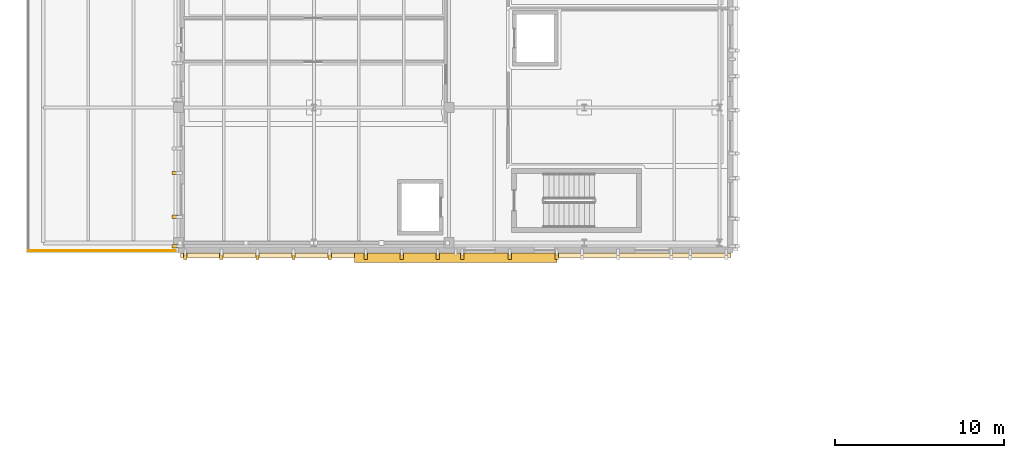
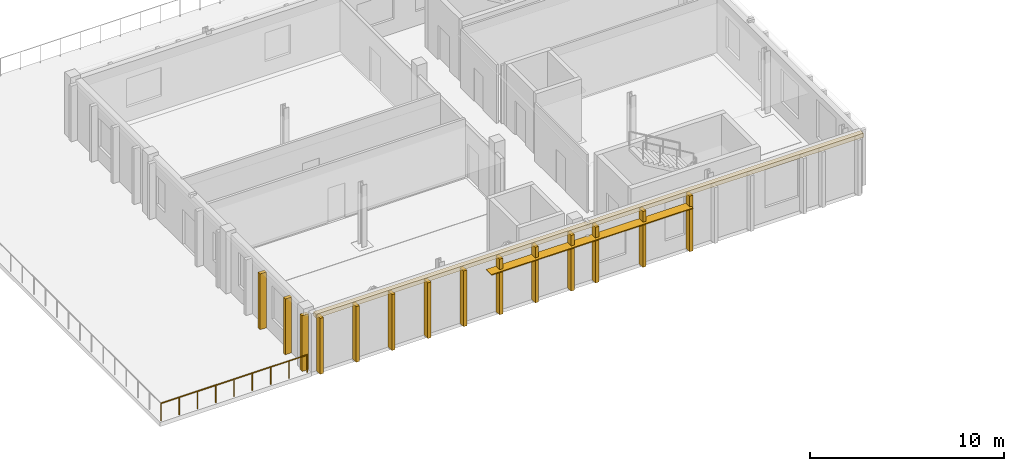
# One storey, part 33 of 43: 15 coverings, 1 railing, 1 shading device.
"""IFC4 building model written with IfcOpenShell, lengths in metres."""

from ifc_helpers import new_model, si_unit, direction, frame, origin, origin_2d, place, context, subcontext, project, spatial, rectangle, circle, extrude, material, layer, layer_set, type_object, element, save


model = new_model("IFC4")

# Units and contexts
model_context = context("Model", 3, precision=1e-05, world=origin(), true_north=direction((0.0, 1.0)))
body_context = subcontext(model_context, "Body", "Model", "MODEL_VIEW")
ifc_project = project(units=[si_unit("LENGTHUNIT", "METRE"), si_unit("AREAUNIT", "SQUARE_METRE"), si_unit("VOLUMEUNIT", "CUBIC_METRE"), si_unit("PLANEANGLEUNIT", "RADIAN"), si_unit("MASSUNIT", "GRAM", prefix="KILO")], contexts=[model_context])

# Site, building, storey
site_placement = place(None, origin())
site = spatial("IfcSite", under=ifc_project, at=site_placement, CompositionType="ELEMENT")
building_placement = place(site_placement, origin())
building = spatial("IfcBuilding", under=site, at=building_placement, Name="Cymarion Research Institute", CompositionType="ELEMENT")
storey_placement = place(building_placement, frame((0.0, 0.0, 22.800048828125)))
storey = spatial("IfcBuildingStorey", under=building, at=storey_placement, Name="L05", CompositionType="ELEMENT", Elevation=22.800048828125)

# Shading device
ifc_material_1 = material(Name="Anodised aluminium solar louvre jalousie", Category="aluminium")
ifc_layer_1 = layer(ifc_material_1, 0.06005859375)
ifc_layer_set_1 = layer_set([ifc_layer_1], Name="Anodised aluminium solar louvre jalousie")
shading_device_type = type_object("IfcShadingDeviceType", Name="ANODISED ALUMINIUM HORIZONTAL LOUVRE JALOUSIE SHD2 550MM", PredefinedType="JALOUSIE", material=ifc_layer_set_1)
shading_device_placement = place(storey_placement, frame((31.0, 46.623046875, 2.7900390625), z_axis=(0.0, 0.0, 1.0), x_axis=(0.0, -1.0, 0.0)))
element("IfcShadingDevice", 1, at=shading_device_placement, inside=storey, type_object=shading_device_type, Name="L05 V4 south aluminium sunshade SHD2 #11", PredefinedType="JALOUSIE", context=body_context, shape_type="SweptSolid", body=[
    extrude(rectangle(XDim=0.550048828125, YDim=12.0, at=origin_2d()), origin(), (0.0, 0.0, 1.0), 0.06005859375),
])

# Railing
ifc_material_2 = material(Name="Steel S355", Category="steel")
railing_type = type_object("IfcRailingType", Name="LAMINATED GLASS AND STEEL BALUSTRADE BAL1 1120MM", PredefinedType="BALUSTRADE", material=ifc_material_2)
railing_placement = place(storey_placement, frame((14.419921875, 47.02001953125, 0.0)))
element("IfcRailing", 2, at=railing_placement, inside=storey, type_object=railing_type, Name="L05 V4 roof garden perimeter balustrade #4", PredefinedType="BALUSTRADE", context=body_context, shape_type="SweptSolid", body=[
    extrude(circle(Radius=0.02392578125, at=origin_2d()), frame((0.0, 0.0, 1.09619140625), z_axis=(-1.0, 0.0, 0.0), x_axis=(0.0, -1.0, 0.0)), (0.0, 0.0, 1.0), 8.699951171875),
    extrude(circle(Radius=0.02099609375, at=origin_2d()), origin(), (0.0, 0.0, 1.0), 1.072021484375),
    extrude(circle(Radius=0.02099609375, at=origin_2d()), frame((-1.08740234375, 0.0, 0.0)), (0.0, 0.0, 1.0), 1.072021484375),
    extrude(circle(Radius=0.02099609375, at=origin_2d()), frame((-2.175048828125, 0.0, 0.0)), (0.0, 0.0, 1.0), 1.072021484375),
    extrude(circle(Radius=0.02099609375, at=origin_2d()), frame((-3.262451171875, 0.0, 0.0)), (0.0, 0.0, 1.0), 1.072021484375),
    extrude(circle(Radius=0.02099609375, at=origin_2d()), frame((-4.35009765625, 0.0, 0.0)), (0.0, 0.0, 1.0), 1.072021484375),
    extrude(circle(Radius=0.02099609375, at=origin_2d()), frame((-5.4375, 0.0, 0.0)), (0.0, 0.0, 1.0), 1.072021484375),
    extrude(circle(Radius=0.02099609375, at=origin_2d()), frame((-6.52490234375, 0.0, 0.0)), (0.0, 0.0, 1.0), 1.072021484375),
    extrude(circle(Radius=0.02099609375, at=origin_2d()), frame((-7.612548828125, 0.0, 0.0)), (0.0, 0.0, 1.0), 1.072021484375),
    extrude(circle(Radius=0.02099609375, at=origin_2d()), frame((-8.699951171875, 0.0, 0.0)), (0.0, 0.0, 1.0), 1.072021484375),
])

# Coverings
ifc_material_3 = material(Name="Precast concrete C45/55 architectural white", Category="concrete")
ifc_layer_2 = layer(ifc_material_3, 0.260009765625)
ifc_layer_set_2 = layer_set([ifc_layer_2], Name="Precast concrete C45/55 architectural white")
covering_type_1 = type_object("IfcCoveringType", Name="SCULPTURAL WHITE PRECAST CONCRETE SPANDREL BROW BAND RIB2 280MM", PredefinedType="CLADDING", material=ifc_layer_set_2)
covering_placement = place(storey_placement, frame((31.0, 46.758056640625, 3.52001953125), z_axis=(0.0, 0.0, 1.0), x_axis=(0.0, -1.0, 0.0)))
element("IfcCovering", 3, at=covering_placement, inside=storey, type_object=covering_type_1, Name="L05 V4 precast spandrel brow band RIB2 #975", PredefinedType="CLADDING", context=body_context, shape_type="SweptSolid", body=[
    extrude(rectangle(XDim=0.280029296875, YDim=32.56005859375, at=origin_2d()), origin(), (0.0, 0.0, 1.0), 0.260009765625),
])
ifc_layer_3 = layer(ifc_material_3, 0.199951171875)
ifc_layer_set_3 = layer_set([ifc_layer_3], Name="Precast concrete C45/55 architectural white")
covering_type_2 = type_object("IfcCoveringType", Name="SCULPTURAL WHITE PRECAST CONCRETE VERTICAL RIB RIB1 380X200", PredefinedType="CLADDING", material=ifc_layer_set_3)
for number, where, z_axis, x_axis, name in (
    (4, (15.0, 46.7080078125, 0.010009765625), (0.0, 0.0, 1.0), (0.0, -1.0, 0.0), "L05 V4 sculptural precast vertical rib RIB1 #976"),
    (5, (17.13330078125, 46.7080078125, 0.010009765625), (0.0, 0.0, 1.0), (0.0, -1.0, 0.0), "L05 V4 sculptural precast vertical rib RIB1 #977"),
    (6, (19.2666015625, 46.7080078125, 0.010009765625), (0.0, 0.0, 1.0), (0.0, -1.0, 0.0), "L05 V4 sculptural precast vertical rib RIB1 #978"),
    (7, (21.39990234375, 46.7080078125, 0.010009765625), (0.0, 0.0, 1.0), (0.0, -1.0, 0.0), "L05 V4 sculptural precast vertical rib RIB1 #979"),
    (8, (23.533203125, 46.7080078125, 0.010009765625), (0.0, 0.0, 1.0), (0.0, -1.0, 0.0), "L05 V4 sculptural precast vertical rib RIB1 #980"),
    (9, (25.666748046875, 46.7080078125, 0.010009765625), (0.0, 0.0, 1.0), (0.0, -1.0, 0.0), "L05 V4 sculptural precast vertical rib RIB1 #981"),
    (10, (27.800048828125, 46.7080078125, 0.010009765625), (0.0, 0.0, 1.0), (0.0, -1.0, 0.0), "L05 V4 sculptural precast vertical rib RIB1 #982"),
    (11, (29.933349609375, 46.7080078125, 0.010009765625), (0.0, 0.0, 1.0), (0.0, -1.0, 0.0), "L05 V4 sculptural precast vertical rib RIB1 #983"),
    (12, (31.3798828125, 46.7080078125, 0.010009765625), (0.0, 0.0, 1.0), (0.0, -1.0, 0.0), "L05 V4 sculptural precast vertical rib RIB1 #984"),
    (13, (34.199951171875, 46.7080078125, 0.010009765625), (0.0, 0.0, 1.0), (0.0, -1.0, 0.0), "L05 V4 sculptural precast vertical rib RIB1 #985"),
    (14, (36.97998046875, 46.7080078125, 0.010009765625), (0.0, 0.0, 1.0), (0.0, -1.0, 0.0), "L05 V4 sculptural precast vertical rib RIB1 #986"),
    (15, (14.407958984375, 51.627197265625, 0.010009765625), (0.0, 0.0, 1.0), (-1.0, 0.0, 0.0), "L05 V4 sculptural precast vertical rib RIB1 #1033"),
    (16, (14.407958984375, 49.030029296875, 0.010009765625), (0.0, 0.0, 1.0), (-1.0, 0.0, 0.0), "L05 V4 sculptural precast vertical rib RIB1 #1034"),
    (17, (14.407958984375, 47.300048828125, 0.010009765625), (0.0, 0.0, 1.0), (-1.0, 0.0, 0.0), "L05 V4 sculptural precast vertical rib RIB1 #1035"),
):
    element("IfcCovering", number, at=place(storey_placement, frame(where, z_axis=z_axis, x_axis=x_axis)), inside=storey, type_object=covering_type_2, Name=name, PredefinedType="CLADDING", context=body_context, shape_type="SweptSolid", body=[
        extrude(rectangle(XDim=0.3798828125, YDim=0.199951171875, at=origin_2d()), origin(), (0.0, 0.0, 1.0), 3.5048828125),
    ])

save(model, "model.ifc")
